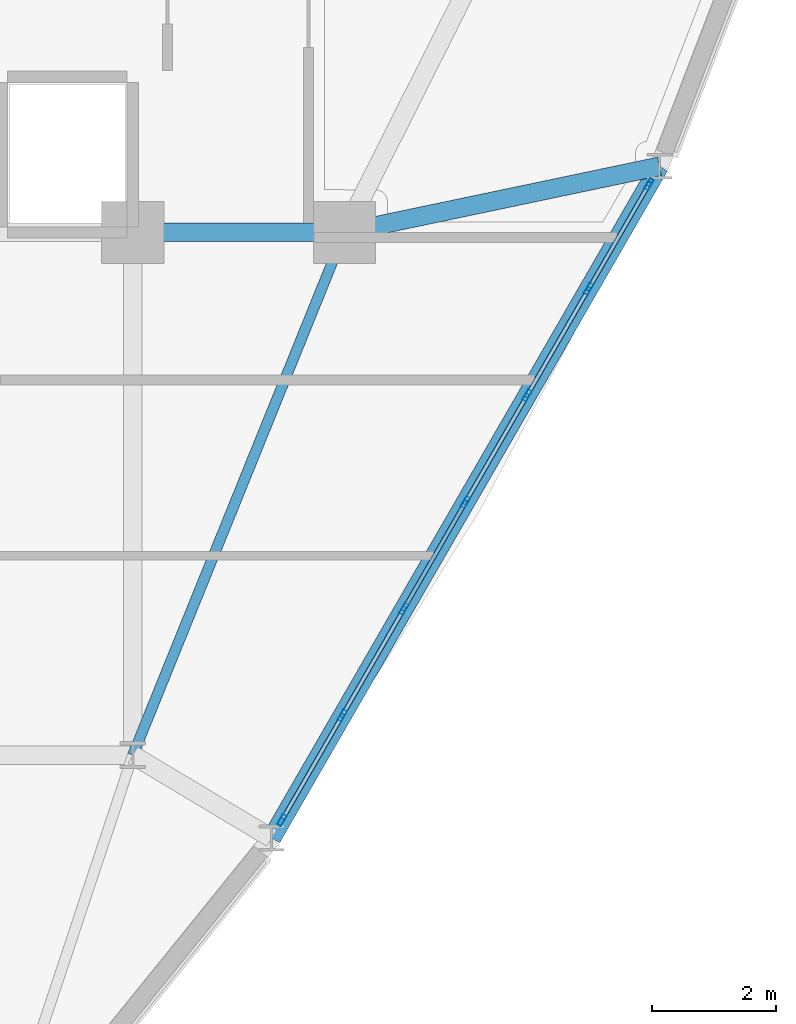
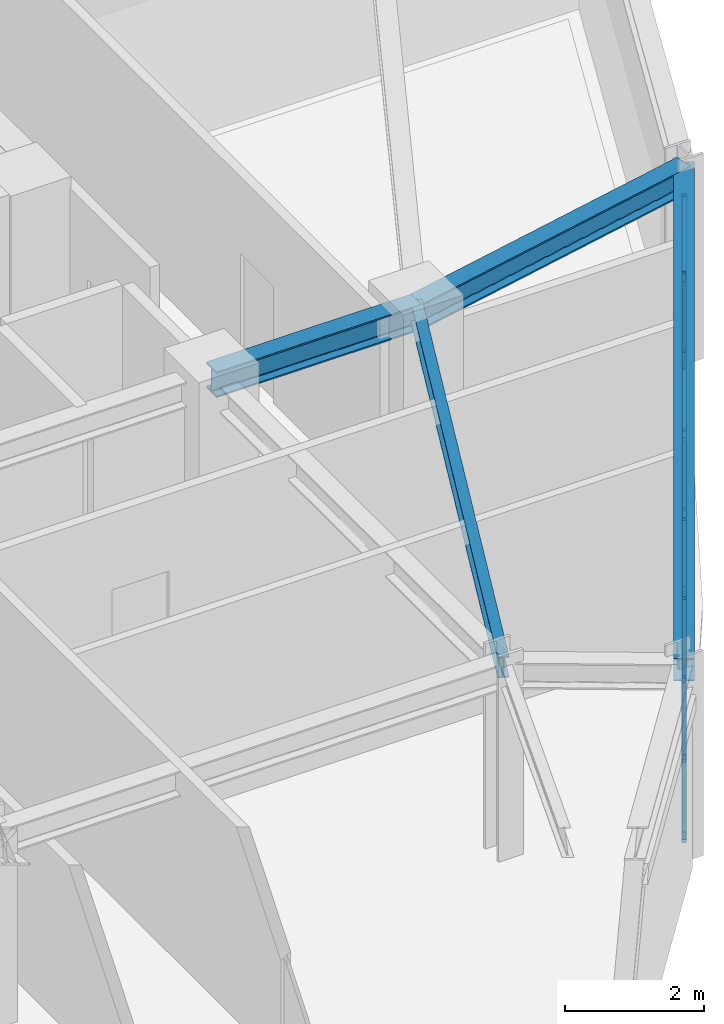
# One storey, part 6 of 14: 21 members, 4 beams, 1 element without a shape of its own.
"""IFC4 building model written with IfcOpenShell, lengths in metres."""

from ifc_helpers import new_model, si_unit, derived_unit, direction, frame, origin, origin_2d, place, context, subcontext, project, spatial, hollow_rectangle, i_section, extrude, source, transform, mapped, material, layer, layer_set, material_profile, profile_set, type_object, element, aggregate, save


model = new_model("IFC4")

# Units and contexts
model_context = context("Model", 3, precision=1e-05, world=origin(), true_north=direction((0.0, 1.0)))
body_context = subcontext(model_context, "Body", "Model", "MODEL_VIEW")
ifc_project = project(units=[si_unit("LENGTHUNIT", "METRE"), si_unit("AREAUNIT", "SQUARE_METRE"), si_unit("VOLUMEUNIT", "CUBIC_METRE"), si_unit("PLANEANGLEUNIT", "RADIAN"), si_unit("MASSUNIT", "GRAM", prefix="KILO"), derived_unit("THERMALTRANSMITTANCEUNIT", [(si_unit("POWERUNIT", "WATT"), 1), (si_unit("LENGTHUNIT", "METRE"), -2), (si_unit("THERMODYNAMICTEMPERATUREUNIT", "KELVIN"), -1)])], contexts=[model_context])

# Site, building, storey
site_placement = place(None, origin())
site = spatial("IfcSite", under=ifc_project, at=site_placement, CompositionType="ELEMENT")
building_placement = place(site_placement, origin())
building = spatial("IfcBuilding", under=site, at=building_placement, Name="Korsvarv Bourse and Concert Hall", CompositionType="ELEMENT")
storey_placement = place(building_placement, frame((0.0, 0.0, 190.199951171875)))
storey = spatial("IfcBuildingStorey", under=building, at=storey_placement, Name="L49", CompositionType="ELEMENT", Elevation=190.199951171875)

# Beams
ifc_material_1 = material(Name="Steel S355", Category="steel")
ifc_material_profile_1 = material_profile(ifc_material_1, i_section(OverallWidth=0.169921875, OverallDepth=0.360107421875, WebThickness=0.008056640625, FlangeThickness=0.0126953125, FilletRadius=0.01806640625, at=origin_2d()), Name="IPE 360")
ifc_profile_set_1 = profile_set([ifc_material_profile_1], Name="Steel S355")
beam_type_1 = type_object("IfcBeamType", Name="BM-IPE360", PredefinedType="JOIST", material=ifc_profile_set_1)
shared_shape_1 = source(origin(), body_context, "Body", "SweptSolid", [
    extrude(i_section(OverallWidth=0.169921875, OverallDepth=0.360107421875, WebThickness=0.008056640625, FlangeThickness=0.0126953125, FilletRadius=0.01806640625, at=origin_2d()), origin(), (0.0, 0.0, 1.0), 9.06201171875),
])
beam_1_placement = place(storey_placement, frame((47.800048828125, 32.39990234375, 3.219970703125), z_axis=(-0.375210394783, -0.926939674222, 0.0), x_axis=(0.926939674222, -0.375210394783, 0.0)))
element("IfcBeam", 1, at=beam_1_placement, inside=storey, type_object=beam_type_1, Name="L49 beam J-06", PredefinedType="JOIST", context=body_context, shape_type="MappedRepresentation", body=[
    mapped(shared_shape_1, transform((0.0, 0.0, 0.0), scale=1.0)),
])
ifc_material_profile_2 = material_profile(ifc_material_1, i_section(OverallWidth=0.300048828125, OverallDepth=0.449951171875, WebThickness=0.013916015625, FlangeThickness=0.02587890625, FilletRadius=0.02099609375, at=origin_2d()), Name="HEB 450")
ifc_profile_set_2 = profile_set([ifc_material_profile_2], Name="Steel S355")
beam_type_2 = type_object("IfcBeamType", Name="BM-HEB450", PredefinedType="SPANDREL", material=ifc_profile_set_2)
shared_shape_2 = source(origin(), body_context, "Body", "SweptSolid", [
    extrude(i_section(OverallWidth=0.300048828125, OverallDepth=0.449951171875, WebThickness=0.013916015625, FlangeThickness=0.02587890625, FilletRadius=0.02099609375, at=origin_2d()), origin(), (0.0, 0.0, 1.0), 3.400146484375),
])
beam_2_placement = place(storey_placement, frame((44.39990234375, 32.39990234375, 3.175048828125), z_axis=(1.0, 0.0, 0.0), x_axis=(0.0, 1.0, 0.0)))
element("IfcBeam", 2, at=beam_2_placement, inside=storey, type_object=beam_type_2, Name="L49 beam B-08", PredefinedType="SPANDREL", context=body_context, shape_type="MappedRepresentation", body=[
    mapped(shared_shape_2, transform((0.0, 0.0, 0.0), scale=1.0)),
])
ifc_material_profile_3 = material_profile(ifc_material_1, i_section(OverallWidth=0.300048828125, OverallDepth=0.389892578125, WebThickness=0.010986328125, FlangeThickness=0.01904296875, FilletRadius=0.02099609375, at=origin_2d()), Name="HEA 400")
ifc_profile_set_3 = profile_set([ifc_material_profile_3], Name="Steel S355")
beam_type_3 = type_object("IfcBeamType", Name="BM-HEA400", PredefinedType="BEAM", material=ifc_profile_set_3)
shared_shape_3 = source(origin(), body_context, "Body", "SweptSolid", [
    extrude(i_section(OverallWidth=0.300048828125, OverallDepth=0.389892578125, WebThickness=0.010986328125, FlangeThickness=0.01904296875, FilletRadius=0.02099609375, at=origin_2d()), origin(), (0.0, 0.0, 1.0), 12.46630859375),
])
beam_3_placement = place(storey_placement, frame((46.62890625, 22.666015625, 3.205078125), z_axis=(0.499985219902, 0.86603393691, 0.0), x_axis=(-0.86603393691, 0.499985219902, 0.0)))
element("IfcBeam", 3, at=beam_3_placement, inside=storey, type_object=beam_type_3, Name="L49 beam B-11", PredefinedType="BEAM", context=body_context, shape_type="MappedRepresentation", body=[
    mapped(shared_shape_3, transform((0.0, 0.0, 0.0), scale=1.0)),
])
shared_shape_4 = source(origin(), body_context, "Body", "SweptSolid", [
    extrude(i_section(OverallWidth=0.300048828125, OverallDepth=0.449951171875, WebThickness=0.013916015625, FlangeThickness=0.02587890625, FilletRadius=0.02099609375, at=origin_2d()), origin(), (0.0, 0.0, 1.0), 5.172119140625),
])
beam_4_placement = place(storey_placement, frame((52.86181640625, 33.462158203125, 3.175048828125), z_axis=(-0.978681305513, -0.205384766328, 0.0), x_axis=(0.205384766328, -0.978681305513, 0.0)))
element("IfcBeam", 4, at=beam_4_placement, inside=storey, type_object=beam_type_2, Name="L49 beam B-08", PredefinedType="SPANDREL", context=body_context, shape_type="MappedRepresentation", body=[
    mapped(shared_shape_4, transform((0.0, 0.0, 0.0), scale=1.0)),
])

# Curtain wall, members
ifc_material_2 = material(Name="Anodised aluminium and triple low-E glazing", Category="glass")
ifc_layer = layer(ifc_material_2, 0.199951171875)
ifc_layer_set = layer_set([ifc_layer], Name="Anodised aluminium and triple low-E glazing")
curtain_wall_type = type_object("IfcCurtainWallType", Name="CW-SYS-3", PredefinedType="NOTDEFINED", material=ifc_layer_set)
curtain_wall_placement = place(storey_placement, origin())
curtain_wall = element("IfcCurtainWall", 5, at=curtain_wall_placement, inside=storey, type_object=curtain_wall_type, Name="L49 CW3 curtain wall CW-L49-F11", PredefinedType="NOTDEFINED")
ifc_material_3 = material(Name="Extruded aluminium EN AW-6063 T66", Category="aluminium")
ifc_material_profile_4 = material_profile(ifc_material_3, hollow_rectangle(XDim=0.06494140625, YDim=0.139892578125, WallThickness=0.00390625, at=origin_2d()), Name="ALU-T 65x140")
ifc_profile_set_4 = profile_set([ifc_material_profile_4], Name="Extruded aluminium EN AW-6063 T66")
member_type_1 = type_object("IfcMemberType", Name="CWT-140", PredefinedType="USERDEFINED", material=ifc_profile_set_4)
shared_shape_5 = source(origin(), body_context, "Body", "SweptSolid", [
    extrude(hollow_rectangle(XDim=0.06494140625, YDim=0.139892578125, WallThickness=0.00390625, at=origin_2d()), origin(), (0.0, 0.0, 1.0), 1.908447265625),
])
member_1_placement = place(storey_placement, frame((47.784423828125, 24.667724609375, 0.032470703125), z_axis=(0.500032491935, 0.866006643745, 0.0), x_axis=(-0.866006643745, 0.500032491935, 0.0)))
member_1 = element("IfcMember", 6, at=member_1_placement, type_object=member_type_1, Name="CW3 transom 2.1", ObjectType="TRANSOM", PredefinedType="USERDEFINED", context=body_context, shape_type="MappedRepresentation", body=[
    mapped(shared_shape_5, transform((0.0, 0.0, 0.0), scale=1.0)),
])
member_2_placement = place(storey_placement, frame((47.784423828125, 24.667724609375, 2.9775390625), z_axis=(0.500032491935, 0.866006643745, 0.0), x_axis=(-0.866006643745, 0.500032491935, 0.0)))
member_2 = element("IfcMember", 7, at=member_2_placement, type_object=member_type_1, Name="CW3 transom 2.2", ObjectType="TRANSOM", PredefinedType="USERDEFINED", context=body_context, shape_type="MappedRepresentation", body=[
    mapped(shared_shape_5, transform((0.0, 0.0, 0.0), scale=1.0)),
])
member_3_placement = place(storey_placement, frame((48.773681640625, 26.381103515625, 0.032470703125), z_axis=(0.499936548189, 0.866062034606, 0.0), x_axis=(-0.866062034606, 0.499936548189, 0.0)))
member_3 = element("IfcMember", 8, at=member_3_placement, type_object=member_type_1, Name="CW3 transom 3.1", ObjectType="TRANSOM", PredefinedType="USERDEFINED", context=body_context, shape_type="MappedRepresentation", body=[
    mapped(shared_shape_5, transform((0.0, 0.0, 0.0), scale=1.0)),
])
member_4_placement = place(storey_placement, frame((48.773681640625, 26.381103515625, 2.9775390625), z_axis=(0.499936548189, 0.866062034606, 0.0), x_axis=(-0.866062034606, 0.499936548189, 0.0)))
member_4 = element("IfcMember", 9, at=member_4_placement, type_object=member_type_1, Name="CW3 transom 3.2", ObjectType="TRANSOM", PredefinedType="USERDEFINED", context=body_context, shape_type="MappedRepresentation", body=[
    mapped(shared_shape_5, transform((0.0, 0.0, 0.0), scale=1.0)),
])
member_5_placement = place(storey_placement, frame((50.751953125, 29.807861328125, 0.032470703125), z_axis=(0.500087889681, 0.865974654707, 0.0), x_axis=(-0.865974654707, 0.500087889681, 0.0)))
member_5 = element("IfcMember", 10, at=member_5_placement, type_object=member_type_1, Name="CW3 transom 5.1", ObjectType="TRANSOM", PredefinedType="USERDEFINED", context=body_context, shape_type="MappedRepresentation", body=[
    mapped(shared_shape_5, transform((0.0, 0.0, 0.0), scale=1.0)),
])
member_6_placement = place(storey_placement, frame((50.751953125, 29.807861328125, 2.9775390625), z_axis=(0.500087889681, 0.865974654707, 0.0), x_axis=(-0.865974654707, 0.500087889681, 0.0)))
member_6 = element("IfcMember", 11, at=member_6_placement, type_object=member_type_1, Name="CW3 transom 5.2", ObjectType="TRANSOM", PredefinedType="USERDEFINED", context=body_context, shape_type="MappedRepresentation", body=[
    mapped(shared_shape_5, transform((0.0, 0.0, 0.0), scale=1.0)),
])
ifc_material_profile_5 = material_profile(ifc_material_3, hollow_rectangle(XDim=0.070068359375, YDim=0.18994140625, WallThickness=0.0048828125, at=origin_2d()), Name="ALU-M 70x190")
ifc_profile_set_5 = profile_set([ifc_material_profile_5], Name="Extruded aluminium EN AW-6063 T66")
member_type_2 = type_object("IfcMemberType", Name="CWM-190", PredefinedType="MULLION", material=ifc_profile_set_5)
shared_shape_6 = source(origin(), body_context, "Body", "SweptSolid", [
    extrude(hollow_rectangle(XDim=0.070068359375, YDim=0.18994140625, WallThickness=0.0048828125, at=origin_2d()), origin(), (0.0, 0.0, 1.0), 3.010009765625),
])
member_7_placement = place(storey_placement, frame((46.79541015625, 22.954345703125, 0.0), z_axis=(0.0, 0.0, 1.0), x_axis=(-0.866029726531, 0.499992512708, 0.0)))
member_7 = element("IfcMember", 12, at=member_7_placement, type_object=member_type_2, Name="CW3 mullion 1", PredefinedType="MULLION", context=body_context, shape_type="MappedRepresentation", body=[
    mapped(shared_shape_6, transform((0.0, 0.0, 0.0), scale=1.0)),
])
member_8_placement = place(storey_placement, frame((47.76708984375, 24.637451171875, 0.0), z_axis=(0.0, 0.0, 1.0), x_axis=(-0.866029726531, 0.499992512708, 0.0)))
member_8 = element("IfcMember", 13, at=member_8_placement, type_object=member_type_2, Name="CW3 mullion 2", PredefinedType="MULLION", context=body_context, shape_type="MappedRepresentation", body=[
    mapped(shared_shape_6, transform((0.0, 0.0, 0.0), scale=1.0)),
])
member_9_placement = place(storey_placement, frame((48.756103515625, 26.350830078125, 0.0), z_axis=(0.0, 0.0, 1.0), x_axis=(-0.866029726531, 0.499992512708, 0.0)))
member_9 = element("IfcMember", 14, at=member_9_placement, type_object=member_type_2, Name="CW3 mullion 3", PredefinedType="MULLION", context=body_context, shape_type="MappedRepresentation", body=[
    mapped(shared_shape_6, transform((0.0, 0.0, 0.0), scale=1.0)),
])
member_10_placement = place(storey_placement, frame((49.745361328125, 28.064208984375, 0.0), z_axis=(0.0, 0.0, 1.0), x_axis=(-0.866029726531, 0.499992512708, 0.0)))
member_10 = element("IfcMember", 15, at=member_10_placement, type_object=member_type_2, Name="CW3 mullion 4", PredefinedType="MULLION", context=body_context, shape_type="MappedRepresentation", body=[
    mapped(shared_shape_6, transform((0.0, 0.0, 0.0), scale=1.0)),
])
member_11_placement = place(storey_placement, frame((50.734619140625, 29.777587890625, 0.0), z_axis=(0.0, 0.0, 1.0), x_axis=(-0.866029726531, 0.499992512708, 0.0)))
member_11 = element("IfcMember", 16, at=member_11_placement, type_object=member_type_2, Name="CW3 mullion 5", PredefinedType="MULLION", context=body_context, shape_type="MappedRepresentation", body=[
    mapped(shared_shape_6, transform((0.0, 0.0, 0.0), scale=1.0)),
])
member_12_placement = place(storey_placement, frame((51.7236328125, 31.490966796875, 0.0), z_axis=(0.0, 0.0, 1.0), x_axis=(-0.866029726531, 0.499992512708, 0.0)))
member_12 = element("IfcMember", 17, at=member_12_placement, type_object=member_type_2, Name="CW3 mullion 6", PredefinedType="MULLION", context=body_context, shape_type="MappedRepresentation", body=[
    mapped(shared_shape_6, transform((0.0, 0.0, 0.0), scale=1.0)),
])
member_13_placement = place(storey_placement, frame((52.6953125, 33.173828125, 0.0), z_axis=(0.0, 0.0, 1.0), x_axis=(-0.866029726531, 0.499992512708, 0.0)))
member_13 = element("IfcMember", 18, at=member_13_placement, type_object=member_type_2, Name="CW3 mullion 7", PredefinedType="MULLION", context=body_context, shape_type="MappedRepresentation", body=[
    mapped(shared_shape_6, transform((0.0, 0.0, 0.0), scale=1.0)),
])
shared_shape_7 = source(origin(), body_context, "Body", "SweptSolid", [
    extrude(hollow_rectangle(XDim=0.06494140625, YDim=0.139892578125, WallThickness=0.00390625, at=origin_2d()), origin(), (0.0, 0.0, 1.0), 1.873291015625),
])
member_14_placement = place(storey_placement, frame((51.7412109375, 31.521240234375, 0.032470703125), z_axis=(0.500049599607, 0.865996765544, 0.0), x_axis=(-0.865996765544, 0.500049599607, 0.0)))
member_14 = element("IfcMember", 19, at=member_14_placement, type_object=member_type_1, Name="CW3 transom 6.1", ObjectType="TRANSOM", PredefinedType="USERDEFINED", context=body_context, shape_type="MappedRepresentation", body=[
    mapped(shared_shape_7, transform((0.0, 0.0, 0.0), scale=1.0)),
])
member_15_placement = place(storey_placement, frame((51.7412109375, 31.521240234375, 2.9775390625), z_axis=(0.500049599607, 0.865996765544, 0.0), x_axis=(-0.865996765544, 0.500049599607, 0.0)))
member_15 = element("IfcMember", 20, at=member_15_placement, type_object=member_type_1, Name="CW3 transom 6.2", ObjectType="TRANSOM", PredefinedType="USERDEFINED", context=body_context, shape_type="MappedRepresentation", body=[
    mapped(shared_shape_7, transform((0.0, 0.0, 0.0), scale=1.0)),
])
shared_shape_8 = source(origin(), body_context, "Body", "SweptSolid", [
    extrude(hollow_rectangle(XDim=0.06494140625, YDim=0.139892578125, WallThickness=0.00390625, at=origin_2d()), origin(), (0.0, 0.0, 1.0), 1.908203125),
])
member_16_placement = place(storey_placement, frame((49.762939453125, 28.094482421875, 0.032470703125), z_axis=(0.499991942392, 0.866030055796, 0.0), x_axis=(-0.866030055796, 0.499991942392, 0.0)))
member_16 = element("IfcMember", 21, at=member_16_placement, type_object=member_type_1, Name="CW3 transom 4.1", ObjectType="TRANSOM", PredefinedType="USERDEFINED", context=body_context, shape_type="MappedRepresentation", body=[
    mapped(shared_shape_8, transform((0.0, 0.0, 0.0), scale=1.0)),
])
member_17_placement = place(storey_placement, frame((49.762939453125, 28.094482421875, 2.9775390625), z_axis=(0.499991942392, 0.866030055796, 0.0), x_axis=(-0.866030055796, 0.499991942392, 0.0)))
member_17 = element("IfcMember", 22, at=member_17_placement, type_object=member_type_1, Name="CW3 transom 4.2", ObjectType="TRANSOM", PredefinedType="USERDEFINED", context=body_context, shape_type="MappedRepresentation", body=[
    mapped(shared_shape_8, transform((0.0, 0.0, 0.0), scale=1.0)),
])
shared_shape_9 = source(origin(), body_context, "Body", "SweptSolid", [
    extrude(hollow_rectangle(XDim=0.06494140625, YDim=0.139892578125, WallThickness=0.00390625, at=origin_2d()), origin(), (0.0, 0.0, 1.0), 1.87353515625),
])
member_18_placement = place(storey_placement, frame((46.812744140625, 22.984619140625, 0.032470703125), z_axis=(0.49999316964, 0.866029347258, 0.0), x_axis=(-0.866029347258, 0.49999316964, 0.0)))
member_18 = element("IfcMember", 23, at=member_18_placement, type_object=member_type_1, Name="CW3 transom 1.1", ObjectType="TRANSOM", PredefinedType="USERDEFINED", context=body_context, shape_type="MappedRepresentation", body=[
    mapped(shared_shape_9, transform((0.0, 0.0, 0.0), scale=1.0)),
])
member_19_placement = place(storey_placement, frame((46.812744140625, 22.984619140625, 2.9775390625), z_axis=(0.49999316964, 0.866029347258, 0.0), x_axis=(-0.866029347258, 0.49999316964, 0.0)))
member_19 = element("IfcMember", 24, at=member_19_placement, type_object=member_type_1, Name="CW3 transom 1.2", ObjectType="TRANSOM", PredefinedType="USERDEFINED", context=body_context, shape_type="MappedRepresentation", body=[
    mapped(shared_shape_9, transform((0.0, 0.0, 0.0), scale=1.0)),
])
ifc_material_profile_6 = material_profile(ifc_material_3, hollow_rectangle(XDim=0.06494140625, YDim=0.1650390625, WallThickness=0.0048828125, at=origin_2d()), Name="ALU-M 65x165")
ifc_profile_set_6 = profile_set([ifc_material_profile_6], Name="Extruded aluminium EN AW-6063 T66")
member_type_3 = type_object("IfcMemberType", Name="CWM-165", PredefinedType="MULLION", material=ifc_profile_set_6)
shared_shape_10 = source(origin(), body_context, "Body", "SweptSolid", [
    extrude(hollow_rectangle(XDim=0.06494140625, YDim=0.1650390625, WallThickness=0.0048828125, at=origin_2d()), origin(), (0.0, 0.0, 1.0), 3.435791015625),
])
member_20_placement = place(storey_placement, frame((52.677978515625, 33.1435546875, 0.06494140625), z_axis=(-0.27265080526, -0.472182590813, 0.838275097641), x_axis=(0.865996765544, -0.500049599607, 0.0)))
member_20 = element("IfcMember", 25, at=member_20_placement, type_object=member_type_3, Name="CW3 diagonal mullion 6", PredefinedType="MULLION", context=body_context, shape_type="MappedRepresentation", body=[
    mapped(shared_shape_10, transform((0.0, 0.0, 0.0), scale=1.0)),
])
shared_shape_11 = source(origin(), body_context, "Body", "SweptSolid", [
    extrude(hollow_rectangle(XDim=0.06494140625, YDim=0.1650390625, WallThickness=0.0048828125, at=origin_2d()), origin(), (0.0, 0.0, 1.0), 3.455078125),
])
member_21_placement = place(storey_placement, frame((48.773681640625, 26.381103515625, 0.06494140625), z_axis=(0.276147838251, 0.478383025834, 0.833601854618), x_axis=(-0.866062034606, 0.499936548189, 0.0)))
member_21 = element("IfcMember", 26, at=member_21_placement, type_object=member_type_3, Name="CW3 diagonal mullion 3", PredefinedType="MULLION", context=body_context, shape_type="MappedRepresentation", body=[
    mapped(shared_shape_11, transform((0.0, 0.0, 0.0), scale=1.0)),
])
aggregate(curtain_wall, [member_7, member_8, member_9, member_10, member_11, member_12, member_13, member_18, member_19, member_1, member_2, member_3, member_4, member_21, member_16, member_17, member_5, member_6, member_14, member_15, member_20])

save(model, "model.ifc")
